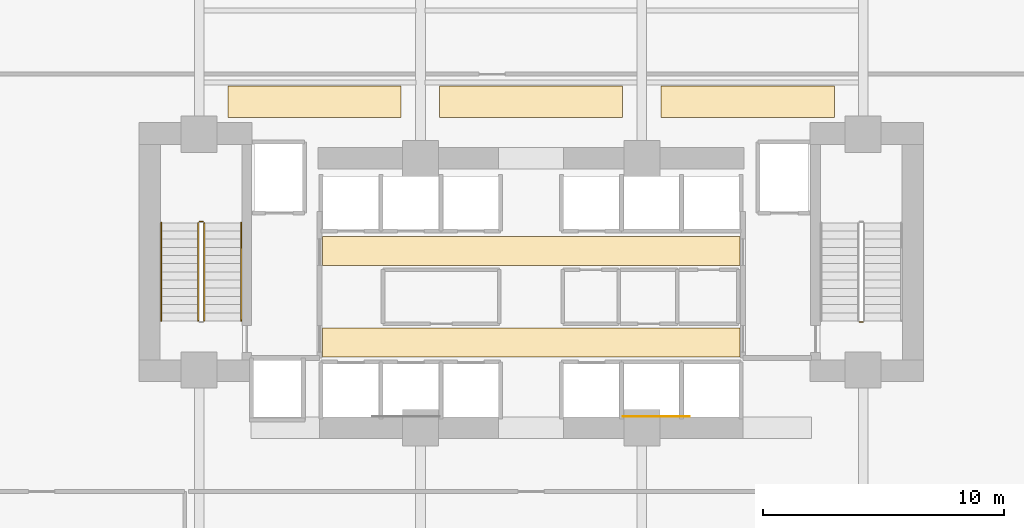
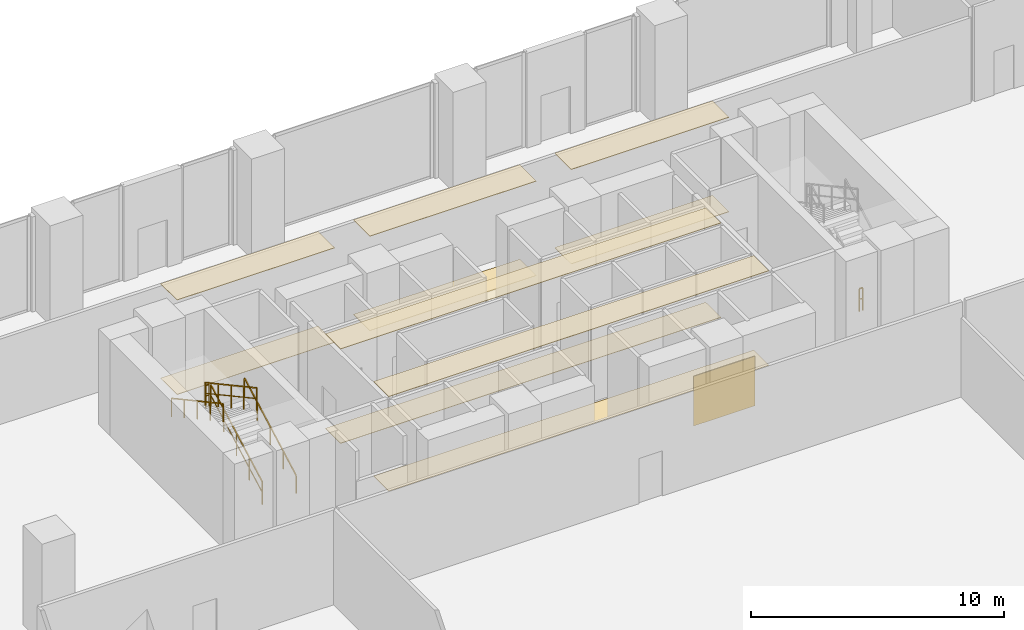
# One storey, part 25 of 28: 11 coverings, 6 railings.
"""IFC4 building model written with IfcOpenShell, lengths in metres."""

from ifc_helpers import new_model, si_unit, direction, frame, origin, origin_2d, place, context, subcontext, project, spatial, polyline, rectangle, outline, extrude, material, layer, layer_set, type_object, element, save


model = new_model("IFC4")

# Units and contexts
model_context = context("Model", 3, precision=1e-05, world=origin(), true_north=direction((0.0, 1.0)))
body_context = subcontext(model_context, "Body", "Model", "MODEL_VIEW")
ifc_project = project(units=[si_unit("LENGTHUNIT", "METRE"), si_unit("AREAUNIT", "SQUARE_METRE"), si_unit("VOLUMEUNIT", "CUBIC_METRE"), si_unit("PLANEANGLEUNIT", "RADIAN"), si_unit("MASSUNIT", "GRAM", prefix="KILO")], contexts=[model_context])

# Site, building, storey
site_placement = place(None, origin())
site = spatial("IfcSite", under=ifc_project, at=site_placement, CompositionType="ELEMENT")
building_placement = place(site_placement, origin())
building = spatial("IfcBuilding", under=site, at=building_placement, Name="Zuhayl Quay Hotel", CompositionType="ELEMENT")
storey_placement = place(building_placement, frame((0.0, 0.0, 22.800048828125)))
storey = spatial("IfcBuildingStorey", under=building, at=storey_placement, Name="L04", CompositionType="ELEMENT", Elevation=22.800048828125)

# Coverings
ifc_material_1 = material(Name="Acoustic Mineral-Fibre Gypsum Board")
ifc_layer_1 = layer(ifc_material_1, 0.02490234375, Name="Acoustic Mineral-Fibre Gypsum Board")
ifc_layer_set_1 = layer_set([ifc_layer_1], Name="Acoustic Mineral-Fibre Gypsum Board")
covering_type_1 = type_object("IfcCoveringType", Name="CV_CEIL_ACOUSTIC", PredefinedType="CEILING", material=ifc_layer_set_1)
covering_1_placement = place(storey_placement, frame((0.0, 0.0, 4.554931640625)))
element("IfcCovering", 1, at=covering_1_placement, inside=storey, type_object=covering_type_1, Name="L04 Suspended Acoustic Lobby Ceiling S", PredefinedType="CEILING", context=body_context, shape_type="SweptSolid", body=[
    extrude(outline(polyline([(-8.679931640625, 5.10009765625), (8.679931640625, 5.10009765625), (8.679931640625, 6.300048828125), (-8.679931640625, 6.300048828125), (-8.679931640625, 5.10009765625)])), origin(), (0.0, 0.0, 1.0), 0.02490234375),
])
covering_2_placement = place(storey_placement, frame((0.0, 0.0, 4.554931640625)))
element("IfcCovering", 2, at=covering_2_placement, inside=storey, type_object=covering_type_1, Name="L04 Suspended Acoustic Lobby Ceiling N", PredefinedType="CEILING", context=body_context, shape_type="SweptSolid", body=[
    extrude(outline(polyline([(-8.679931640625, 8.89990234375), (8.679931640625, 8.89990234375), (8.679931640625, 10.10009765625), (-8.679931640625, 10.10009765625), (-8.679931640625, 8.89990234375)])), origin(), (0.0, 0.0, 1.0), 0.02490234375),
])
covering_3_placement = place(storey_placement, frame((0.0, 0.0, 4.554931640625)))
element("IfcCovering", 3, at=covering_3_placement, inside=storey, type_object=covering_type_1, Name="L04 Guest Corridor Acoustic Ceiling CW", PredefinedType="CEILING", context=body_context, shape_type="SweptSolid", body=[
    extrude(outline(polyline([(-12.60009765625, 15.050048828125), (-5.39990234375, 15.050048828125), (-5.39990234375, 16.35009765625), (-12.60009765625, 16.35009765625), (-12.60009765625, 15.050048828125)])), origin(), (0.0, 0.0, 1.0), 0.02490234375),
])
covering_4_placement = place(storey_placement, frame((0.0, 0.0, 4.554931640625)))
element("IfcCovering", 4, at=covering_4_placement, inside=storey, type_object=covering_type_1, Name="L04 Guest Corridor Acoustic Ceiling CC", PredefinedType="CEILING", context=body_context, shape_type="SweptSolid", body=[
    extrude(outline(polyline([(-3.800048828125, 15.050048828125), (3.800048828125, 15.050048828125), (3.800048828125, 16.35009765625), (-3.800048828125, 16.35009765625), (-3.800048828125, 15.050048828125)])), origin(), (0.0, 0.0, 1.0), 0.02490234375),
])
covering_5_placement = place(storey_placement, frame((0.0, 0.0, 4.554931640625)))
element("IfcCovering", 5, at=covering_5_placement, inside=storey, type_object=covering_type_1, Name="L04 Guest Corridor Acoustic Ceiling CE", PredefinedType="CEILING", context=body_context, shape_type="SweptSolid", body=[
    extrude(outline(polyline([(5.39990234375, 15.050048828125), (12.60009765625, 15.050048828125), (12.60009765625, 16.35009765625), (5.39990234375, 16.35009765625), (5.39990234375, 15.050048828125)])), origin(), (0.0, 0.0, 1.0), 0.02490234375),
])
ifc_material_2 = material(Name="Polished Limestone Terrazzo", Category="masonry")
ifc_layer_2 = layer(ifc_material_2, 0.02001953125, Name="Polished Limestone Terrazzo", Category="masonry")
ifc_layer_set_2 = layer_set([ifc_layer_2], Name="Polished Limestone Terrazzo")
covering_type_2 = type_object("IfcCoveringType", Name="CV_FLOOR_TERRAZZO", PredefinedType="FLOORING", material=ifc_layer_set_2)
covering_6_placement = place(storey_placement, origin())
element("IfcCovering", 6, at=covering_6_placement, inside=storey, type_object=covering_type_2, Name="L04 Honed Limestone Terrazzo Lobby Flooring S", PredefinedType="FLOORING", context=body_context, shape_type="SweptSolid", body=[
    extrude(outline(polyline([(-8.679931640625, 5.10009765625), (8.679931640625, 5.10009765625), (8.679931640625, 6.300048828125), (-8.679931640625, 6.300048828125), (-8.679931640625, 5.10009765625)])), origin(), (0.0, 0.0, 1.0), 0.02001953125),
])
covering_7_placement = place(storey_placement, origin())
element("IfcCovering", 7, at=covering_7_placement, inside=storey, type_object=covering_type_2, Name="L04 Honed Limestone Terrazzo Lobby Flooring N", PredefinedType="FLOORING", context=body_context, shape_type="SweptSolid", body=[
    extrude(outline(polyline([(-8.679931640625, 8.89990234375), (8.679931640625, 8.89990234375), (8.679931640625, 10.10009765625), (-8.679931640625, 10.10009765625), (-8.679931640625, 8.89990234375)])), origin(), (0.0, 0.0, 1.0), 0.02001953125),
])
covering_8_placement = place(storey_placement, origin())
element("IfcCovering", 8, at=covering_8_placement, inside=storey, type_object=covering_type_2, Name="L04 Guest Corridor Terrazzo Runner CW", PredefinedType="FLOORING", context=body_context, shape_type="SweptSolid", body=[
    extrude(outline(polyline([(-12.60009765625, 15.050048828125), (-5.39990234375, 15.050048828125), (-5.39990234375, 16.35009765625), (-12.60009765625, 16.35009765625), (-12.60009765625, 15.050048828125)])), origin(), (0.0, 0.0, 1.0), 0.02001953125),
])
covering_9_placement = place(storey_placement, origin())
element("IfcCovering", 9, at=covering_9_placement, inside=storey, type_object=covering_type_2, Name="L04 Guest Corridor Terrazzo Runner CC", PredefinedType="FLOORING", context=body_context, shape_type="SweptSolid", body=[
    extrude(outline(polyline([(-3.800048828125, 15.050048828125), (3.800048828125, 15.050048828125), (3.800048828125, 16.35009765625), (-3.800048828125, 16.35009765625), (-3.800048828125, 15.050048828125)])), origin(), (0.0, 0.0, 1.0), 0.02001953125),
])
covering_10_placement = place(storey_placement, origin())
element("IfcCovering", 10, at=covering_10_placement, inside=storey, type_object=covering_type_2, Name="L04 Guest Corridor Terrazzo Runner CE", PredefinedType="FLOORING", context=body_context, shape_type="SweptSolid", body=[
    extrude(outline(polyline([(5.39990234375, 15.050048828125), (12.60009765625, 15.050048828125), (12.60009765625, 16.35009765625), (5.39990234375, 16.35009765625), (5.39990234375, 15.050048828125)])), origin(), (0.0, 0.0, 1.0), 0.02001953125),
])
ifc_material_3 = material(Name="Acoustic Walnut Feature Timber", Category="wood")
ifc_layer_3 = layer(ifc_material_3, 0.02197265625, Name="Acoustic Walnut Feature Timber", Category="wood")
ifc_layer_set_3 = layer_set([ifc_layer_3], Name="Acoustic Walnut Feature Timber")
covering_type_3 = type_object("IfcCoveringType", Name="CV_WALL_CLAD", PredefinedType="CLADDING", material=ifc_layer_set_3)
covering_11_placement = place(storey_placement, frame((5.199951171875, 2.611083984375, 0.300048828125), z_axis=(0.0, 0.0, 1.0), x_axis=(1.0, 0.0, 0.0)))
element("IfcCovering", 11, at=covering_11_placement, inside=storey, type_object=covering_type_3, Name="L04 Feature Lobby Walnut Wall Cladding E", PredefinedType="CLADDING", context=body_context, shape_type="SweptSolid", body=[
    extrude(rectangle(XDim=2.800048828125, YDim=0.02197265625, at=origin_2d()), origin(), (0.0, 0.0, 1.0), 2.39990234375),
])

# Railings
ifc_material_4 = material(Name="Steel ASTM A992 Grade 50", Category="steel")
railing_type_1 = type_object("IfcRailingType", Name="RL_GUARD_1100", PredefinedType="GUARDRAIL", material=ifc_material_4)
railing_1_placement = place(storey_placement, frame((-13.590087890625, 6.590087890625, 0.1845703125)))
element("IfcRailing", 12, at=railing_1_placement, inside=storey, type_object=railing_type_1, Name="L04 ST1 stair guard 1", PredefinedType="GUARDRAIL", context=body_context, shape_type="SweptSolid", body=[
    extrude(rectangle(XDim=0.048095703125, YDim=0.048095703125, at=origin_2d()), frame((0.0, 0.0, 1.09619140625), z_axis=(0.0, 0.878802396796, 0.477185862517), x_axis=(-1.0, 0.0, 0.0)), (0.0, 0.0, 1.0), 4.642578125),
    extrude(rectangle(XDim=0.0361328125, YDim=0.0361328125, at=origin_2d()), frame((0.0, 0.0, 0.58251953125), z_axis=(0.0, 0.878802396796, 0.477185862517), x_axis=(-1.0, 0.0, 0.0)), (0.0, 0.0, 1.0), 4.642578125),
    extrude(rectangle(XDim=0.0419921875, YDim=0.0419921875, at=origin_2d()), origin(), (0.0, 0.0, 1.0), 1.072021484375),
    extrude(rectangle(XDim=0.0419921875, YDim=0.0419921875, at=origin_2d()), frame((0.0, 1.02001953125, 0.5537109375)), (0.0, 0.0, 1.0), 1.072021484375),
    extrude(rectangle(XDim=0.0419921875, YDim=0.0419921875, at=origin_2d()), frame((0.0, 2.0400390625, 1.107666015625)), (0.0, 0.0, 1.0), 1.072021484375),
    extrude(rectangle(XDim=0.0419921875, YDim=0.0419921875, at=origin_2d()), frame((0.0, 3.059814453125, 1.66162109375)), (0.0, 0.0, 1.0), 1.072021484375),
    extrude(rectangle(XDim=0.0419921875, YDim=0.0419921875, at=origin_2d()), frame((0.0, 4.079833984375, 2.21533203125)), (0.0, 0.0, 1.0), 1.072021484375),
])
railing_2_placement = place(storey_placement, frame((-13.639892578125, 10.719970703125, 2.39990234375)))
element("IfcRailing", 13, at=railing_2_placement, inside=storey, type_object=railing_type_1, Name="L04 ST1 stair guard 2", PredefinedType="GUARDRAIL", context=body_context, shape_type="SweptSolid", body=[
    extrude(rectangle(XDim=0.048095703125, YDim=0.048095703125, at=origin_2d()), frame((0.0, 0.0, 1.09619140625), z_axis=(-1.0, 0.0, 0.0), x_axis=(0.0, -1.0, 0.0)), (0.0, 0.0, 1.0), 0.150146484375),
    extrude(rectangle(XDim=0.0361328125, YDim=0.0361328125, at=origin_2d()), frame((0.0, 0.0, 0.58251953125), z_axis=(-1.0, 0.0, 0.0), x_axis=(0.0, -1.0, 0.0)), (0.0, 0.0, 1.0), 0.150146484375),
    extrude(rectangle(XDim=0.0419921875, YDim=0.0419921875, at=origin_2d()), origin(), (0.0, 0.0, 1.0), 1.072021484375),
    extrude(rectangle(XDim=0.0419921875, YDim=0.0419921875, at=origin_2d()), frame((-0.150146484375, 0.0, 0.0)), (0.0, 0.0, 1.0), 1.072021484375),
])
railing_3_placement = place(storey_placement, frame((-13.840087890625, 10.669921875, 2.58447265625)))
element("IfcRailing", 14, at=railing_3_placement, inside=storey, type_object=railing_type_1, Name="L04 ST1 stair guard 3", PredefinedType="GUARDRAIL", context=body_context, shape_type="SweptSolid", body=[
    extrude(rectangle(XDim=0.048095703125, YDim=0.048095703125, at=origin_2d()), frame((0.0, 0.0, 1.09619140625), z_axis=(0.0, -0.878780343415, 0.477226474567), x_axis=(1.0, 0.0, 0.0)), (0.0, 0.0, 1.0), 4.642578125),
    extrude(rectangle(XDim=0.0361328125, YDim=0.0361328125, at=origin_2d()), frame((0.0, 0.0, 0.58251953125), z_axis=(0.0, -0.878780343415, 0.477226474567), x_axis=(1.0, 0.0, 0.0)), (0.0, 0.0, 1.0), 4.642578125),
    extrude(rectangle(XDim=0.0419921875, YDim=0.0419921875, at=origin_2d()), origin(), (0.0, 0.0, 1.0), 1.072021484375),
    extrude(rectangle(XDim=0.0419921875, YDim=0.0419921875, at=origin_2d()), frame((0.0, -1.02001953125, 0.553955078125)), (0.0, 0.0, 1.0), 1.072021484375),
    extrude(rectangle(XDim=0.0419921875, YDim=0.0419921875, at=origin_2d()), frame((0.0, -2.0400390625, 1.10791015625)), (0.0, 0.0, 1.0), 1.072021484375),
    extrude(rectangle(XDim=0.0419921875, YDim=0.0419921875, at=origin_2d()), frame((0.0, -3.059814453125, 1.66162109375)), (0.0, 0.0, 1.0), 1.072021484375),
    extrude(rectangle(XDim=0.0419921875, YDim=0.0419921875, at=origin_2d()), frame((0.0, -4.079833984375, 2.215576171875)), (0.0, 0.0, 1.0), 1.072021484375),
])
railing_4_placement = place(storey_placement, frame((13.7900390625, 6.5400390625, 0.0)))
element("IfcRailing", 15, at=railing_4_placement, inside=storey, type_object=railing_type_1, Name="L04 ST2 stair guard 4", PredefinedType="GUARDRAIL", context=body_context, shape_type="SweptSolid", body=[
    extrude(rectangle(XDim=0.048095703125, YDim=0.048095703125, at=origin_2d()), frame((0.0, 0.0, 1.09619140625), z_axis=(-1.0, 0.0, 0.0), x_axis=(0.0, -1.0, 0.0)), (0.0, 0.0, 1.0), 0.150146484375),
    extrude(rectangle(XDim=0.0361328125, YDim=0.0361328125, at=origin_2d()), frame((0.0, 0.0, 0.58251953125), z_axis=(-1.0, 0.0, 0.0), x_axis=(0.0, -1.0, 0.0)), (0.0, 0.0, 1.0), 0.150146484375),
    extrude(rectangle(XDim=0.0419921875, YDim=0.0419921875, at=origin_2d()), origin(), (0.0, 0.0, 1.0), 1.072021484375),
    extrude(rectangle(XDim=0.0419921875, YDim=0.0419921875, at=origin_2d()), frame((-0.150146484375, 0.0, 0.0)), (0.0, 0.0, 1.0), 1.072021484375),
])
railing_type_2 = type_object("IfcRailingType", Name="RL_HANDRAIL_920", PredefinedType="HANDRAIL", material=ifc_material_4)
railing_5_placement = place(storey_placement, frame((-12.050048828125, 6.590087890625, 0.1845703125)))
element("IfcRailing", 16, at=railing_5_placement, inside=storey, type_object=railing_type_2, Name="L04 ST1 stair handrail 1", PredefinedType="HANDRAIL", context=body_context, shape_type="SweptSolid", body=[
    extrude(rectangle(XDim=0.048095703125, YDim=0.048095703125, at=origin_2d()), frame((0.0, 0.0, 0.8759765625), z_axis=(0.0, 0.878802396796, 0.477185862517), x_axis=(-1.0, 0.0, 0.0)), (0.0, 0.0, 1.0), 4.642578125),
    extrude(rectangle(XDim=0.0419921875, YDim=0.0419921875, at=origin_2d()), origin(), (0.0, 0.0, 1.0), 0.851806640625),
    extrude(rectangle(XDim=0.0419921875, YDim=0.0419921875, at=origin_2d()), frame((0.0, 1.02001953125, 0.5537109375)), (0.0, 0.0, 1.0), 0.851806640625),
    extrude(rectangle(XDim=0.0419921875, YDim=0.0419921875, at=origin_2d()), frame((0.0, 2.0400390625, 1.107666015625)), (0.0, 0.0, 1.0), 0.851806640625),
    extrude(rectangle(XDim=0.0419921875, YDim=0.0419921875, at=origin_2d()), frame((0.0, 3.059814453125, 1.66162109375)), (0.0, 0.0, 1.0), 0.851806640625),
    extrude(rectangle(XDim=0.0419921875, YDim=0.0419921875, at=origin_2d()), frame((0.0, 4.079833984375, 2.21533203125)), (0.0, 0.0, 1.0), 0.851806640625),
])
railing_6_placement = place(storey_placement, frame((-15.3798828125, 10.669921875, 2.58447265625)))
element("IfcRailing", 17, at=railing_6_placement, inside=storey, type_object=railing_type_2, Name="L04 ST1 stair handrail 2", PredefinedType="HANDRAIL", context=body_context, shape_type="SweptSolid", body=[
    extrude(rectangle(XDim=0.048095703125, YDim=0.048095703125, at=origin_2d()), frame((0.0, 0.0, 0.8759765625), z_axis=(0.0, -0.878780343415, 0.477226474567), x_axis=(1.0, 0.0, 0.0)), (0.0, 0.0, 1.0), 4.642578125),
    extrude(rectangle(XDim=0.0419921875, YDim=0.0419921875, at=origin_2d()), origin(), (0.0, 0.0, 1.0), 0.851806640625),
    extrude(rectangle(XDim=0.0419921875, YDim=0.0419921875, at=origin_2d()), frame((0.0, -1.02001953125, 0.553955078125)), (0.0, 0.0, 1.0), 0.851806640625),
    extrude(rectangle(XDim=0.0419921875, YDim=0.0419921875, at=origin_2d()), frame((0.0, -2.0400390625, 1.10791015625)), (0.0, 0.0, 1.0), 0.851806640625),
    extrude(rectangle(XDim=0.0419921875, YDim=0.0419921875, at=origin_2d()), frame((0.0, -3.059814453125, 1.66162109375)), (0.0, 0.0, 1.0), 0.851806640625),
    extrude(rectangle(XDim=0.0419921875, YDim=0.0419921875, at=origin_2d()), frame((0.0, -4.079833984375, 2.215576171875)), (0.0, 0.0, 1.0), 0.851806640625),
])

save(model, "model.ifc")
